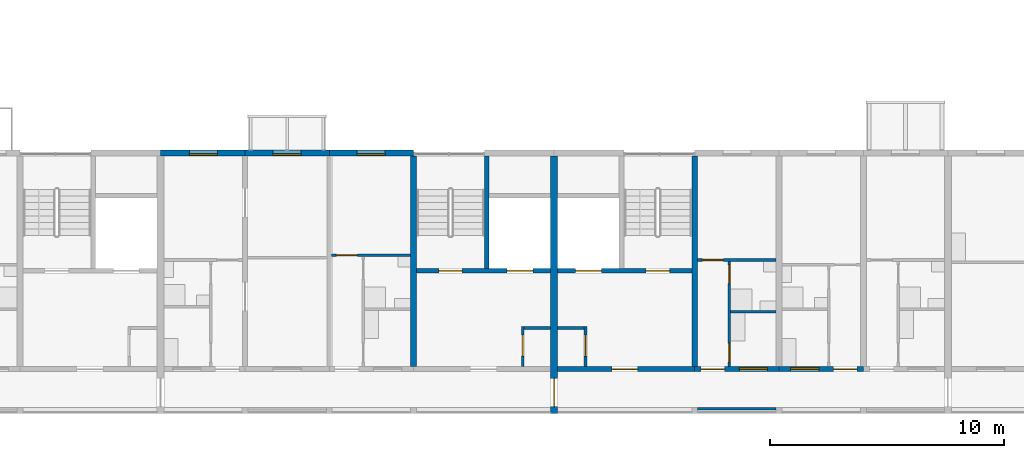
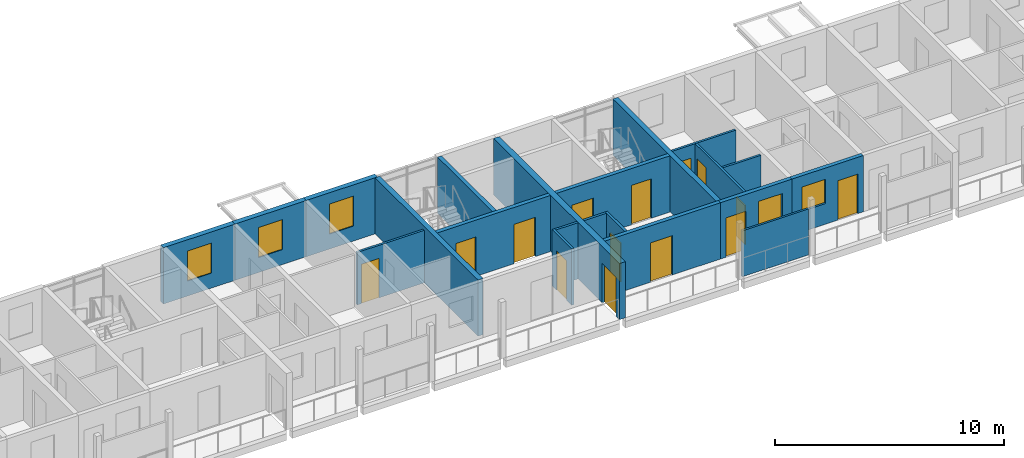
# One storey, part 32 of 98: 21 walls, 14 doors, 5 windows, 19 openings.
"""IFC4 building model written with IfcOpenShell, lengths in metres."""

from ifc_helpers import new_model, si_unit, direction, frame, frame_2d, origin, place, context, subcontext, project, spatial, rectangle, extrude, material, layer, layer_set, type_object, element, fill, save


model = new_model("IFC4")

# Units and contexts
model_context = context("Model", 3, precision=1e-05, world=origin(), true_north=direction((0.0, 1.0)))
body_context = subcontext(model_context, "Body", "Model", "MODEL_VIEW")
ifc_project = project(units=[si_unit("LENGTHUNIT", "METRE"), si_unit("AREAUNIT", "SQUARE_METRE"), si_unit("VOLUMEUNIT", "CUBIC_METRE"), si_unit("PLANEANGLEUNIT", "RADIAN"), si_unit("MASSUNIT", "GRAM", prefix="KILO")], contexts=[model_context])

# Site, building, storey
site_placement = place(None, origin())
site = spatial("IfcSite", under=ifc_project, at=site_placement, CompositionType="ELEMENT")
building_placement = place(site_placement, origin())
building = spatial("IfcBuilding", under=site, at=building_placement, Name="Ridgestep Commons", CompositionType="ELEMENT")
storey_placement = place(building_placement, frame((0.0, 0.0, 12.0)))
storey = spatial("IfcBuildingStorey", under=building, at=storey_placement, Name="L04", CompositionType="ELEMENT", Elevation=12.0)

# Walls
ifc_material_1 = material(Name="Concrete C30/37", Category="concrete")
ifc_layer_1 = layer(ifc_material_1, 0.25)
ifc_layer_set_1 = layer_set([ifc_layer_1], Name="Core cross wall 250")
wall_type_1 = type_object("IfcWallType", Name="Core cross wall 250", PredefinedType="SHEAR", material=ifc_layer_set_1)
for number, where, z_axis, x_axis, name in (
    (1, (39.60009765625, 13.75, 0.0), (0.0, 0.0, 1.0), (0.0, 1.0, 0.0), "Cross wall A-04-0396"),
    (2, (51.60009765625, 13.75, 0.0), (0.0, 0.0, 1.0), (0.0, 1.0, 0.0), "Cross wall A-04-0516"),
):
    element("IfcWall", number, at=place(storey_placement, frame(where, z_axis=z_axis, x_axis=x_axis)), inside=storey, type_object=wall_type_1, Name=name, PredefinedType="SHEAR", context=body_context, shape_type="SweptSolid", body=[
        extrude(rectangle(XDim=9.0, YDim=0.25, at=frame_2d((4.5, 0.0))), origin(), (0.0, 0.0, 1.0), 3.0),
    ])

# Wall, opening, door
ifc_material_2 = material(Name="Concrete C30/37", Category="concrete")
ifc_layer_2 = layer(ifc_material_2, 0.199951171875)
ifc_layer_set_2 = layer_set([ifc_layer_2], Name="Core south wall 200")
wall_type_2 = type_object("IfcWallType", Name="Core south wall 200", PredefinedType="SHEAR", material=ifc_layer_set_2)
wall_1_placement = place(storey_placement, frame((45.75, 13.64990234375, 0.0), z_axis=(0.0, 0.0, 1.0), x_axis=(1.0, 0.0, 0.0)))
wall_1 = element("IfcWall", 3, at=wall_1_placement, inside=storey, type_object=wall_type_2, Name="Core south wall A3C L04", PredefinedType="SHEAR", context=body_context, shape_type="SweptSolid", body=[
    extrude(rectangle(XDim=5.85009765625, YDim=0.199951171875, at=frame_2d((2.925048828125, 0.0))), origin(), (0.0, 0.0, 1.0), 3.0),
])
opening_1_placement = place(wall_1_placement, frame((2.3125, 0.0, 0.0)))
opening_1 = element("IfcOpeningElement", 4, at=opening_1_placement, cuts=wall_1, Name="Opening A3C/04/1", PredefinedType="OPENING", context=body_context, shape_type="SweptSolid", body=[
    extrude(rectangle(XDim=1.10009765625, YDim=2.10009765625, at=frame_2d((0.550048828125, 1.050048828125))), frame((0.0, 0.10986328125, 0.0), z_axis=(0.0, -1.0, 0.0), x_axis=(1.0, 0.0, 0.0)), (0.0, 0.0, 1.0), 0.219970703125),
])
ifc_material_3 = material(Name="Steel fire door", Category="steel")
door_type_1 = type_object("IfcDoorType", Name="Lobby door 1100 x 2100 FD60", OperationType="NOTDEFINED", PredefinedType="DOOR", material=ifc_material_3)
door_1_placement = place(opening_1_placement, origin())
door_1 = element("IfcDoor", 5, at=door_1_placement, inside=storey, type_object=door_type_1, Name="Lobby door A3C/04/1", OperationType="SINGLE_SWING_LEFT", OverallHeight=2.10009765625, OverallWidth=1.10009765625, PredefinedType="DOOR", context=body_context, shape_type="SweptSolid", body=[
    extrude(rectangle(XDim=1.10009765625, YDim=2.10009765625, at=frame_2d((0.550048828125, 1.050048828125))), frame((0.0, 0.02490234375, 0.0), z_axis=(0.0, -1.0, 0.0), x_axis=(1.0, 0.0, 0.0)), (0.0, 0.0, 1.0), 0.050048828125),
])
fill(opening_1, door_1)

ifc_material_4 = material(Name="Concrete C30/37", Category="concrete")
ifc_layer_3 = layer(ifc_material_4, 0.1201171875)
ifc_layer_set_3 = layer_set([ifc_layer_3], Name="Core wall 120")
wall_type_3 = type_object("IfcWallType", Name="Core wall 120", PredefinedType="SHEAR", material=ifc_layer_set_3)
wall_2_placement = place(storey_placement, frame((44.260009765625, 13.75, 0.0), z_axis=(0.0, 0.0, 1.0), x_axis=(0.0, 1.0, 0.0)))
wall_2 = element("IfcWall", 6, at=wall_2_placement, inside=storey, type_object=wall_type_3, Name="Core riser w wall A2C L04", PredefinedType="SHEAR", context=body_context, shape_type="SweptSolid", body=[
    extrude(rectangle(XDim=1.719970703125, YDim=0.1201171875, at=frame_2d((0.85986328125, 0.0))), origin(), (0.0, 0.0, 1.0), 3.0),
])
opening_2_placement = place(wall_2_placement, frame((0.449951171875, 0.0, 0.0)))
opening_2 = element("IfcOpeningElement", 7, at=opening_2_placement, cuts=wall_2, Name="Opening A2C/04/4", PredefinedType="OPENING", context=body_context, shape_type="SweptSolid", body=[
    extrude(rectangle(XDim=0.89990234375, YDim=2.10009765625, at=frame_2d((0.449951171875, 1.050048828125))), frame((0.0, 0.070068359375, 0.0), z_axis=(0.0, -1.0, 0.0), x_axis=(1.0, 0.0, 0.0)), (0.0, 0.0, 1.0), 0.14013671875),
])
ifc_material_5 = material(Name="Steel fire door", Category="steel")
door_type_2 = type_object("IfcDoorType", Name="Riser door 900 x 2100 FD60", OperationType="NOTDEFINED", PredefinedType="DOOR", material=ifc_material_5)
door_2_placement = place(opening_2_placement, origin())
door_2 = element("IfcDoor", 8, at=door_2_placement, inside=storey, type_object=door_type_2, Name="Riser door A2C/04/4", OperationType="SINGLE_SWING_LEFT", OverallHeight=2.10009765625, OverallWidth=0.89990234375, PredefinedType="DOOR", context=body_context, shape_type="SweptSolid", body=[
    extrude(rectangle(XDim=0.89990234375, YDim=2.10009765625, at=frame_2d((0.449951171875, 1.050048828125))), frame((0.0, 0.02490234375, 0.0), z_axis=(0.0, -1.0, 0.0), x_axis=(1.0, 0.0, 0.0)), (0.0, 0.0, 1.0), 0.050048828125),
])
fill(opening_2, door_2)

# Wall
wall_3_placement = place(storey_placement, frame((44.320068359375, 15.409912109375, 0.0), z_axis=(0.0, 0.0, 1.0), x_axis=(1.0, 0.0, 0.0)))
element("IfcWall", 9, at=wall_3_placement, inside=storey, type_object=wall_type_3, Name="Core riser n wall A2C L04", PredefinedType="SHEAR", context=body_context, shape_type="SweptSolid", body=[
    extrude(rectangle(XDim=1.1298828125, YDim=0.1201171875, at=frame_2d((0.56494140625, 0.0))), origin(), (0.0, 0.0, 1.0), 3.0),
])

# Wall, opening, door
wall_4_placement = place(storey_placement, frame((46.93994140625, 13.75, 0.0), z_axis=(0.0, 0.0, 1.0), x_axis=(0.0, 1.0, 0.0)))
wall_4 = element("IfcWall", 10, at=wall_4_placement, inside=storey, type_object=wall_type_3, Name="Core riser w wall A3C L04", PredefinedType="SHEAR", context=body_context, shape_type="SweptSolid", body=[
    extrude(rectangle(XDim=1.719970703125, YDim=0.1201171875, at=frame_2d((0.85986328125, 0.0))), origin(), (0.0, 0.0, 1.0), 3.0),
])
opening_3_placement = place(wall_4_placement, frame((0.449951171875, 0.0, 0.0)))
opening_3 = element("IfcOpeningElement", 11, at=opening_3_placement, cuts=wall_4, Name="Opening A3C/04/4", PredefinedType="OPENING", context=body_context, shape_type="SweptSolid", body=[
    extrude(rectangle(XDim=0.89990234375, YDim=2.10009765625, at=frame_2d((0.449951171875, 1.050048828125))), frame((0.0, 0.070068359375, 0.0), z_axis=(0.0, -1.0, 0.0), x_axis=(1.0, 0.0, 0.0)), (0.0, 0.0, 1.0), 0.14013671875),
])
door_3_placement = place(opening_3_placement, origin())
door_3 = element("IfcDoor", 12, at=door_3_placement, inside=storey, type_object=door_type_2, Name="Riser door A3C/04/4", OperationType="SINGLE_SWING_RIGHT", OverallHeight=2.10009765625, OverallWidth=0.89990234375, PredefinedType="DOOR", context=body_context, shape_type="SweptSolid", body=[
    extrude(rectangle(XDim=0.89990234375, YDim=2.10009765625, at=frame_2d((0.449951171875, 1.050048828125))), frame((0.0, 0.02490234375, 0.0), z_axis=(0.0, -1.0, 0.0), x_axis=(1.0, 0.0, 0.0)), (0.0, 0.0, 1.0), 0.050048828125),
])
fill(opening_3, door_3)

# Wall
wall_5_placement = place(storey_placement, frame((45.75, 15.409912109375, 0.0), z_axis=(0.0, 0.0, 1.0), x_axis=(1.0, 0.0, 0.0)))
element("IfcWall", 13, at=wall_5_placement, inside=storey, type_object=wall_type_3, Name="Core riser n wall A3C L04", PredefinedType="SHEAR", context=body_context, shape_type="SweptSolid", body=[
    extrude(rectangle(XDim=1.1298828125, YDim=0.1201171875, at=frame_2d((0.56494140625, 0.0))), origin(), (0.0, 0.0, 1.0), 3.0),
])

# Wall, openings, doors
ifc_material_6 = material(Name="Concrete C30/37", Category="concrete")
ifc_layer_4 = layer(ifc_material_6, 0.199951171875)
ifc_layer_set_4 = layer_set([ifc_layer_4], Name="Core wall 200")
wall_type_4 = type_object("IfcWallType", Name="Core wall 200", PredefinedType="SHEAR", material=ifc_layer_set_4)
wall_6_placement = place(storey_placement, frame((39.72509765625, 17.85009765625, 0.0), z_axis=(0.0, 0.0, 1.0), x_axis=(1.0, 0.0, 0.0)))
wall_6 = element("IfcWall", 14, at=wall_6_placement, inside=storey, type_object=wall_type_4, Name="Core lobby wall A2C L04", PredefinedType="SHEAR", context=body_context, shape_type="SweptSolid", body=[
    extrude(rectangle(XDim=5.724853515625, YDim=0.199951171875, at=frame_2d((2.8623046875, 0.0))), origin(), (0.0, 0.0, 1.0), 3.0),
])
opening_4_placement = place(wall_6_placement, frame((0.949951171875, 0.0, 0.0)))
opening_4 = element("IfcOpeningElement", 15, at=opening_4_placement, cuts=wall_6, Name="Opening A2C/04/2", PredefinedType="OPENING", context=body_context, shape_type="SweptSolid", body=[
    extrude(rectangle(XDim=1.0, YDim=2.10009765625, at=frame_2d((0.5, 1.050048828125))), frame((0.0, 0.10986328125, 0.0), z_axis=(0.0, -1.0, 0.0), x_axis=(1.0, 0.0, 0.0)), (0.0, 0.0, 1.0), 0.219970703125),
])
opening_5_placement = place(wall_6_placement, frame((3.862548828125, 0.0, 0.0)))
opening_5 = element("IfcOpeningElement", 16, at=opening_5_placement, cuts=wall_6, Name="Opening A2C/04/3", PredefinedType="OPENING", context=body_context, shape_type="SweptSolid", body=[
    extrude(rectangle(XDim=1.10009765625, YDim=2.10009765625, at=frame_2d((0.550048828125, 1.050048828125))), frame((0.0, 0.10986328125, 0.0), z_axis=(0.0, -1.0, 0.0), x_axis=(1.0, 0.0, 0.0)), (0.0, 0.0, 1.0), 0.219970703125),
])
ifc_material_7 = material(Name="Stainless steel", Category="steel")
door_type_3 = type_object("IfcDoorType", Name="Lift landing door 1100 x 2100 FD60", OperationType="DOUBLE_DOOR_SLIDING", PredefinedType="DOOR", material=ifc_material_7)
door_4_placement = place(opening_5_placement, origin())
door_4 = element("IfcDoor", 17, at=door_4_placement, inside=storey, type_object=door_type_3, Name="Landing door LD A2C L04", OperationType="DOUBLE_DOOR_SLIDING", OverallHeight=2.10009765625, OverallWidth=1.10009765625, PredefinedType="DOOR", context=body_context, shape_type="SweptSolid", body=[
    extrude(rectangle(XDim=1.10009765625, YDim=2.10009765625, at=frame_2d((0.550048828125, 1.050048828125))), frame((0.0, 0.02490234375, 0.0), z_axis=(0.0, -1.0, 0.0), x_axis=(1.0, 0.0, 0.0)), (0.0, 0.0, 1.0), 0.050048828125),
])
fill(opening_5, door_4)
ifc_material_8 = material(Name="Steel fire door", Category="steel")
door_type_4 = type_object("IfcDoorType", Name="Stair door 1000 x 2100 FD60", OperationType="NOTDEFINED", PredefinedType="DOOR", material=ifc_material_8)
door_5_placement = place(opening_4_placement, origin())
door_5 = element("IfcDoor", 18, at=door_5_placement, inside=storey, type_object=door_type_4, Name="Stair door A2C/04/2", OperationType="SINGLE_SWING_RIGHT", OverallHeight=2.10009765625, OverallWidth=1.0, PredefinedType="DOOR", context=body_context, shape_type="SweptSolid", body=[
    extrude(rectangle(XDim=1.0, YDim=2.10009765625, at=frame_2d((0.5, 1.050048828125))), frame((0.0, 0.02490234375, 0.0), z_axis=(0.0, -1.0, 0.0), x_axis=(1.0, 0.0, 0.0)), (0.0, 0.0, 1.0), 0.050048828125),
])
fill(opening_4, door_5)

# Wall
wall_7_placement = place(storey_placement, frame((42.72509765625, 17.949951171875, 0.0), z_axis=(0.0, 0.0, 1.0), x_axis=(0.0, 1.0, 0.0)))
element("IfcWall", 19, at=wall_7_placement, inside=storey, type_object=wall_type_4, Name="Core stair wall A2C L04", PredefinedType="SHEAR", context=body_context, shape_type="SweptSolid", body=[
    extrude(rectangle(XDim=4.800048828125, YDim=0.199951171875, at=frame_2d((2.39990234375, 0.0))), origin(), (0.0, 0.0, 1.0), 3.0),
])

# Wall, openings, doors
wall_8_placement = place(storey_placement, frame((45.75, 17.85009765625, 0.0), z_axis=(0.0, 0.0, 1.0), x_axis=(1.0, 0.0, 0.0)))
wall_8 = element("IfcWall", 20, at=wall_8_placement, inside=storey, type_object=wall_type_4, Name="Core lobby wall A3C L04", PredefinedType="SHEAR", context=body_context, shape_type="SweptSolid", body=[
    extrude(rectangle(XDim=5.72509765625, YDim=0.199951171875, at=frame_2d((2.862548828125, 0.0))), origin(), (0.0, 0.0, 1.0), 3.0),
])
opening_6_placement = place(wall_8_placement, frame((3.77490234375, 0.0, 0.0)))
opening_6 = element("IfcOpeningElement", 21, at=opening_6_placement, cuts=wall_8, Name="Opening A3C/04/2", PredefinedType="OPENING", context=body_context, shape_type="SweptSolid", body=[
    extrude(rectangle(XDim=1.0, YDim=2.10009765625, at=frame_2d((0.5, 1.050048828125))), frame((0.0, 0.10986328125, 0.0), z_axis=(0.0, -1.0, 0.0), x_axis=(1.0, 0.0, 0.0)), (0.0, 0.0, 1.0), 0.219970703125),
])
opening_7_placement = place(wall_8_placement, frame((0.762451171875, 0.0, 0.0)))
opening_7 = element("IfcOpeningElement", 22, at=opening_7_placement, cuts=wall_8, Name="Opening A3C/04/3", PredefinedType="OPENING", context=body_context, shape_type="SweptSolid", body=[
    extrude(rectangle(XDim=1.10009765625, YDim=2.10009765625, at=frame_2d((0.550048828125, 1.050048828125))), frame((0.0, 0.10986328125, 0.0), z_axis=(0.0, -1.0, 0.0), x_axis=(1.0, 0.0, 0.0)), (0.0, 0.0, 1.0), 0.219970703125),
])
door_6_placement = place(opening_7_placement, origin())
door_6 = element("IfcDoor", 23, at=door_6_placement, inside=storey, type_object=door_type_3, Name="Landing door LD A3C L04", OperationType="DOUBLE_DOOR_SLIDING", OverallHeight=2.10009765625, OverallWidth=1.10009765625, PredefinedType="DOOR", context=body_context, shape_type="SweptSolid", body=[
    extrude(rectangle(XDim=1.10009765625, YDim=2.10009765625, at=frame_2d((0.550048828125, 1.050048828125))), frame((0.0, 0.02490234375, 0.0), z_axis=(0.0, -1.0, 0.0), x_axis=(1.0, 0.0, 0.0)), (0.0, 0.0, 1.0), 0.050048828125),
])
fill(opening_7, door_6)
door_7_placement = place(opening_6_placement, origin())
door_7 = element("IfcDoor", 24, at=door_7_placement, inside=storey, type_object=door_type_4, Name="Stair door A3C/04/2", OperationType="SINGLE_SWING_RIGHT", OverallHeight=2.10009765625, OverallWidth=1.0, PredefinedType="DOOR", context=body_context, shape_type="SweptSolid", body=[
    extrude(rectangle(XDim=1.0, YDim=2.10009765625, at=frame_2d((0.5, 1.050048828125))), frame((0.0, 0.02490234375, 0.0), z_axis=(0.0, -1.0, 0.0), x_axis=(1.0, 0.0, 0.0)), (0.0, 0.0, 1.0), 0.050048828125),
])
fill(opening_6, door_7)

# Wall, opening, door
ifc_material_9 = material(Name="Precast concrete C40/50", Category="concrete")
ifc_layer_5 = layer(ifc_material_9, 0.300048828125)
ifc_layer_set_5 = layer_set([ifc_layer_5], Name="Division wall 300")
wall_type_5 = type_object("IfcWallType", Name="Division wall 300", PredefinedType="SHEAR", material=ifc_layer_set_5)
wall_9_placement = place(storey_placement, frame((45.60009765625, 11.75, 0.0), z_axis=(0.0, 0.0, 1.0), x_axis=(0.0, 1.0, 0.0)))
wall_9 = element("IfcWall", 25, at=wall_9_placement, inside=storey, type_object=wall_type_5, Name="Cross wall A-04-0456", PredefinedType="SHEAR", context=body_context, shape_type="SweptSolid", body=[
    extrude(rectangle(XDim=11.0, YDim=0.300048828125, at=frame_2d((5.5, 0.0))), origin(), (0.0, 0.0, 1.0), 3.0),
])
opening_8_placement = place(wall_9_placement, frame((0.300048828125, 0.0, 0.0)))
opening_8 = element("IfcOpeningElement", 26, at=opening_8_placement, cuts=wall_9, Name="Opening A/04/G0456", PredefinedType="OPENING", context=body_context, shape_type="SweptSolid", body=[
    extrude(rectangle(XDim=1.199951171875, YDim=2.10009765625, at=frame_2d((0.60009765625, 1.050048828125))), frame((0.0, 0.159912109375, 0.0), z_axis=(0.0, -1.0, 0.0), x_axis=(1.0, 0.0, 0.0)), (0.0, 0.0, 1.0), 0.320068359375),
])
ifc_material_10 = material(Name="Steel fire door", Category="steel")
door_type_5 = type_object("IfcDoorType", Name="Division fire door 1200 x 2100 EI 240", OperationType="DOUBLE_DOOR_SINGLE_SWING", PredefinedType="DOOR", material=ifc_material_10)
door_8_placement = place(opening_8_placement, origin())
door_8 = element("IfcDoor", 27, at=door_8_placement, inside=storey, type_object=door_type_5, Name="Division fire door A/04/G0456", OperationType="DOUBLE_DOOR_SINGLE_SWING", OverallHeight=2.10009765625, OverallWidth=1.199951171875, PredefinedType="DOOR", context=body_context, shape_type="SweptSolid", body=[
    extrude(rectangle(XDim=1.199951171875, YDim=2.10009765625, at=frame_2d((0.60009765625, 1.050048828125))), frame((0.0, 0.02490234375, 0.0), z_axis=(0.0, -1.0, 0.0), x_axis=(1.0, 0.0, 0.0)), (0.0, 0.0, 1.0), 0.050048828125),
])
fill(opening_8, door_8)

# Wall, opening, window
ifc_material_11 = material(Name="Precast concrete C40/50", Category="concrete")
ifc_layer_6 = layer(ifc_material_11, 0.25)
ifc_layer_set_6 = layer_set([ifc_layer_6], Name="North facade panel 250")
wall_type_6 = type_object("IfcWallType", Name="North facade panel 250", PredefinedType="SOLIDWALL", material=ifc_layer_set_6)
wall_10_placement = place(storey_placement, frame((28.800048828125, 22.875, 0.0), z_axis=(0.0, 0.0, 1.0), x_axis=(1.0, 0.0, 0.0)))
wall_10 = element("IfcWall", 28, at=wall_10_placement, inside=storey, type_object=wall_type_6, Name="North panel A2T1 L04", PredefinedType="SOLIDWALL", context=body_context, shape_type="SweptSolid", body=[
    extrude(rectangle(XDim=3.599853515625, YDim=0.25, at=frame_2d((1.7998046875, 0.0))), origin(), (0.0, 0.0, 1.0), 3.0),
])
opening_9_placement = place(wall_10_placement, frame((1.22509765625, 0.0, 0.800048828125)))
opening_9 = element("IfcOpeningElement", 29, at=opening_9_placement, cuts=wall_10, Name="Opening W11", PredefinedType="OPENING", context=body_context, shape_type="SweptSolid", body=[
    extrude(rectangle(XDim=1.199951171875, YDim=1.60009765625, at=frame_2d((0.60009765625, 0.800048828125))), frame((0.0, 0.135009765625, 0.0), z_axis=(0.0, -1.0, 0.0), x_axis=(1.0, 0.0, 0.0)), (0.0, 0.0, 1.0), 0.27001953125),
])
ifc_material_12 = material(Name="Aluminium 6063-T6 and glass", Category="aluminium")
window_type_1 = type_object("IfcWindowType", Name="Flat window 1200 x 1600", PartitioningType="SINGLE_PANEL", PredefinedType="WINDOW", material=ifc_material_12)
window_1_placement = place(opening_9_placement, origin())
window_1 = element("IfcWindow", 30, at=window_1_placement, inside=storey, type_object=window_type_1, Name="Window A2-04a 4", OverallHeight=1.60009765625, OverallWidth=1.199951171875, PartitioningType="SINGLE_PANEL", PredefinedType="WINDOW", context=body_context, shape_type="SweptSolid", body=[
    extrude(rectangle(XDim=1.199951171875, YDim=1.60009765625, at=frame_2d((0.60009765625, 0.800048828125))), frame((0.0, -0.02490234375, 0.0), z_axis=(0.0, -1.0, 0.0), x_axis=(1.0, 0.0, 0.0)), (0.0, 0.0, 1.0), 0.06005859375),
])
fill(opening_9, window_1)

wall_11_placement = place(storey_placement, frame((32.39990234375, 22.875, 0.0), z_axis=(0.0, 0.0, 1.0), x_axis=(1.0, 0.0, 0.0)))
wall_11 = element("IfcWall", 31, at=wall_11_placement, inside=storey, type_object=wall_type_6, Name="North panel A2T2 L04", PredefinedType="SOLIDWALL", context=body_context, shape_type="SweptSolid", body=[
    extrude(rectangle(XDim=3.60009765625, YDim=0.25, at=frame_2d((1.800048828125, 0.0))), origin(), (0.0, 0.0, 1.0), 3.0),
])
opening_10_placement = place(wall_11_placement, frame((1.199951171875, 0.0, 0.800048828125)))
opening_10 = element("IfcOpeningElement", 32, at=opening_10_placement, cuts=wall_11, Name="Opening W11", PredefinedType="OPENING", context=body_context, shape_type="SweptSolid", body=[
    extrude(rectangle(XDim=1.199951171875, YDim=1.60009765625, at=frame_2d((0.60009765625, 0.800048828125))), frame((0.0, 0.135009765625, 0.0), z_axis=(0.0, -1.0, 0.0), x_axis=(1.0, 0.0, 0.0)), (0.0, 0.0, 1.0), 0.27001953125),
])
window_2_placement = place(opening_10_placement, origin())
window_2 = element("IfcWindow", 33, at=window_2_placement, inside=storey, type_object=window_type_1, Name="Window A2-04a 2", OverallHeight=1.60009765625, OverallWidth=1.199951171875, PartitioningType="SINGLE_PANEL", PredefinedType="WINDOW", context=body_context, shape_type="SweptSolid", body=[
    extrude(rectangle(XDim=1.199951171875, YDim=1.60009765625, at=frame_2d((0.60009765625, 0.800048828125))), frame((0.0, -0.02490234375, 0.0), z_axis=(0.0, -1.0, 0.0), x_axis=(1.0, 0.0, 0.0)), (0.0, 0.0, 1.0), 0.06005859375),
])
fill(opening_10, window_2)

wall_12_placement = place(storey_placement, frame((36.0, 22.875, 0.0), z_axis=(0.0, 0.0, 1.0), x_axis=(1.0, 0.0, 0.0)))
wall_12 = element("IfcWall", 34, at=wall_12_placement, inside=storey, type_object=wall_type_6, Name="North panel A2T3 L04", PredefinedType="SOLIDWALL", context=body_context, shape_type="SweptSolid", body=[
    extrude(rectangle(XDim=3.60009765625, YDim=0.25, at=frame_2d((1.800048828125, 0.0))), origin(), (0.0, 0.0, 1.0), 3.0),
])
opening_11_placement = place(wall_12_placement, frame((1.1875, 0.0, 0.800048828125)))
opening_11 = element("IfcOpeningElement", 35, at=opening_11_placement, cuts=wall_12, Name="Opening W11", PredefinedType="OPENING", context=body_context, shape_type="SweptSolid", body=[
    extrude(rectangle(XDim=1.199951171875, YDim=1.60009765625, at=frame_2d((0.60009765625, 0.800048828125))), frame((0.0, 0.135009765625, 0.0), z_axis=(0.0, -1.0, 0.0), x_axis=(1.0, 0.0, 0.0)), (0.0, 0.0, 1.0), 0.27001953125),
])
window_3_placement = place(opening_11_placement, origin())
window_3 = element("IfcWindow", 36, at=window_3_placement, inside=storey, type_object=window_type_1, Name="Window A2-04b 2", OverallHeight=1.60009765625, OverallWidth=1.199951171875, PartitioningType="SINGLE_PANEL", PredefinedType="WINDOW", context=body_context, shape_type="SweptSolid", body=[
    extrude(rectangle(XDim=1.199951171875, YDim=1.60009765625, at=frame_2d((0.60009765625, 0.800048828125))), frame((0.0, -0.02490234375, 0.0), z_axis=(0.0, -1.0, 0.0), x_axis=(1.0, 0.0, 0.0)), (0.0, 0.0, 1.0), 0.06005859375),
])
fill(opening_11, window_3)

# Wall, opening, door
ifc_material_13 = material(Name="Common brick 110 mm", Category="masonry")
ifc_layer_7 = layer(ifc_material_13, 0.110107421875)
ifc_layer_set_7 = layer_set([ifc_layer_7], Name="Partition 110")
wall_type_7 = type_object("IfcWallType", Name="Partition 110", PredefinedType="PARTITIONING", material=ifc_layer_set_7)
wall_13_placement = place(storey_placement, frame((36.10009765625, 18.5048828125, 0.0), z_axis=(0.0, 0.0, 1.0), x_axis=(1.0, 0.0, 0.0)))
wall_13 = element("IfcWall", 37, at=wall_13_placement, inside=storey, type_object=wall_type_7, Name="Partition A2-04b", PredefinedType="PARTITIONING", context=body_context, shape_type="SweptSolid", body=[
    extrude(rectangle(XDim=3.375, YDim=0.110107421875, at=frame_2d((1.6875, 0.0))), origin(), (0.0, 0.0, 1.0), 2.800048828125),
])
opening_12_placement = place(wall_13_placement, frame((0.199951171875, 0.0, 0.0)))
opening_12 = element("IfcOpeningElement", 38, at=opening_12_placement, cuts=wall_13, Name="Opening A2-04b/4", PredefinedType="OPENING", context=body_context, shape_type="SweptSolid", body=[
    extrude(rectangle(XDim=0.89990234375, YDim=2.10009765625, at=frame_2d((0.449951171875, 1.050048828125))), frame((0.0, 0.06494140625, 0.0), z_axis=(0.0, -1.0, 0.0), x_axis=(1.0, 0.0, 0.0)), (0.0, 0.0, 1.0), 0.130126953125),
])
ifc_material_14 = material(Name="Timber door leaf", Category="wood")
door_type_6 = type_object("IfcDoorType", Name="Internal door 900 x 2100", OperationType="NOTDEFINED", PredefinedType="DOOR", material=ifc_material_14)
door_9_placement = place(opening_12_placement, origin())
door_9 = element("IfcDoor", 39, at=door_9_placement, inside=storey, type_object=door_type_6, Name="Internal door A2-04b/4", OperationType="SINGLE_SWING_LEFT", OverallHeight=2.10009765625, OverallWidth=0.89990234375, PredefinedType="DOOR", context=body_context, shape_type="SweptSolid", body=[
    extrude(rectangle(XDim=0.89990234375, YDim=2.10009765625, at=frame_2d((0.449951171875, 1.050048828125))), frame((0.0, 0.02490234375, 0.0), z_axis=(0.0, -1.0, 0.0), x_axis=(1.0, 0.0, 0.0)), (0.0, 0.0, 1.0), 0.050048828125),
])
fill(opening_12, door_9)

# Wall, openings, doors
wall_14_placement = place(storey_placement, frame((53.080078125, 13.75, 0.0), z_axis=(0.0, 0.0, 1.0), x_axis=(0.0, 1.0, 0.0)))
wall_14 = element("IfcWall", 40, at=wall_14_placement, inside=storey, type_object=wall_type_7, Name="Partition A3-04c", PredefinedType="PARTITIONING", context=body_context, shape_type="SweptSolid", body=[
    extrude(rectangle(XDim=4.5, YDim=0.110107421875, at=frame_2d((2.25, 0.0))), origin(), (0.0, 0.0, 1.0), 2.800048828125),
])
opening_13_placement = place(wall_14_placement, frame((0.199951171875, 0.0, 0.0)))
opening_13 = element("IfcOpeningElement", 41, at=opening_13_placement, cuts=wall_14, Name="Opening A3-04c/2", PredefinedType="OPENING", context=body_context, shape_type="SweptSolid", body=[
    extrude(rectangle(XDim=0.800048828125, YDim=2.10009765625, at=frame_2d((0.39990234375, 1.050048828125))), frame((0.0, 0.06494140625, 0.0), z_axis=(0.0, -1.0, 0.0), x_axis=(1.0, 0.0, 0.0)), (0.0, 0.0, 1.0), 0.130126953125),
])
opening_14_placement = place(wall_14_placement, frame((3.550048828125, 0.0, 0.0)))
opening_14 = element("IfcOpeningElement", 42, at=opening_14_placement, cuts=wall_14, Name="Opening A3-04c/3", PredefinedType="OPENING", context=body_context, shape_type="SweptSolid", body=[
    extrude(rectangle(XDim=0.800048828125, YDim=2.10009765625, at=frame_2d((0.39990234375, 1.050048828125))), frame((0.0, 0.06494140625, 0.0), z_axis=(0.0, -1.0, 0.0), x_axis=(1.0, 0.0, 0.0)), (0.0, 0.0, 1.0), 0.130126953125),
])
ifc_material_15 = material(Name="Timber door leaf", Category="wood")
door_type_7 = type_object("IfcDoorType", Name="Internal door 800 x 2100", OperationType="NOTDEFINED", PredefinedType="DOOR", material=ifc_material_15)
door_10_placement = place(opening_13_placement, origin())
door_10 = element("IfcDoor", 43, at=door_10_placement, inside=storey, type_object=door_type_7, Name="Internal door A3-04c/2", OperationType="SINGLE_SWING_RIGHT", OverallHeight=2.10009765625, OverallWidth=0.800048828125, PredefinedType="DOOR", context=body_context, shape_type="SweptSolid", body=[
    extrude(rectangle(XDim=0.800048828125, YDim=2.10009765625, at=frame_2d((0.39990234375, 1.050048828125))), frame((0.0, 0.02490234375, 0.0), z_axis=(0.0, -1.0, 0.0), x_axis=(1.0, 0.0, 0.0)), (0.0, 0.0, 1.0), 0.050048828125),
])
fill(opening_13, door_10)
door_11_placement = place(opening_14_placement, origin())
door_11 = element("IfcDoor", 44, at=door_11_placement, inside=storey, type_object=door_type_7, Name="Internal door A3-04c/3", OperationType="SINGLE_SWING_LEFT", OverallHeight=2.10009765625, OverallWidth=0.800048828125, PredefinedType="DOOR", context=body_context, shape_type="SweptSolid", body=[
    extrude(rectangle(XDim=0.800048828125, YDim=2.10009765625, at=frame_2d((0.39990234375, 1.050048828125))), frame((0.0, 0.02490234375, 0.0), z_axis=(0.0, -1.0, 0.0), x_axis=(1.0, 0.0, 0.0)), (0.0, 0.0, 1.0), 0.050048828125),
])
fill(opening_14, door_11)

# Wall
wall_15_placement = place(storey_placement, frame((53.135009765625, 16.10498046875, 0.0), z_axis=(0.0, 0.0, 1.0), x_axis=(1.0, 0.0, 0.0)))
element("IfcWall", 45, at=wall_15_placement, inside=storey, type_object=wall_type_7, Name="Partition A3-04c", PredefinedType="PARTITIONING", context=body_context, shape_type="SweptSolid", body=[
    extrude(rectangle(XDim=1.93994140625, YDim=0.110107421875, at=frame_2d((0.969970703125, 0.0))), origin(), (0.0, 0.0, 1.0), 2.800048828125),
])

# Wall, opening, door
wall_16_placement = place(storey_placement, frame((51.72509765625, 18.304931640625, 0.0), z_axis=(0.0, 0.0, 1.0), x_axis=(1.0, 0.0, 0.0)))
wall_16 = element("IfcWall", 46, at=wall_16_placement, inside=storey, type_object=wall_type_7, Name="Partition A3-04c", PredefinedType="PARTITIONING", context=body_context, shape_type="SweptSolid", body=[
    extrude(rectangle(XDim=3.349853515625, YDim=0.110107421875, at=frame_2d((1.6748046875, 0.0))), origin(), (0.0, 0.0, 1.0), 2.800048828125),
])
opening_15_placement = place(wall_16_placement, frame((0.199951171875, 0.0, 0.0)))
opening_15 = element("IfcOpeningElement", 47, at=opening_15_placement, cuts=wall_16, Name="Opening A3-04c/4", PredefinedType="OPENING", context=body_context, shape_type="SweptSolid", body=[
    extrude(rectangle(XDim=0.89990234375, YDim=2.10009765625, at=frame_2d((0.449951171875, 1.050048828125))), frame((0.0, 0.06494140625, 0.0), z_axis=(0.0, -1.0, 0.0), x_axis=(1.0, 0.0, 0.0)), (0.0, 0.0, 1.0), 0.130126953125),
])
door_12_placement = place(opening_15_placement, origin())
door_12 = element("IfcDoor", 48, at=door_12_placement, inside=storey, type_object=door_type_6, Name="Internal door A3-04c/4", OperationType="SINGLE_SWING_LEFT", OverallHeight=2.10009765625, OverallWidth=0.89990234375, PredefinedType="DOOR", context=body_context, shape_type="SweptSolid", body=[
    extrude(rectangle(XDim=0.89990234375, YDim=2.10009765625, at=frame_2d((0.449951171875, 1.050048828125))), frame((0.0, 0.02490234375, 0.0), z_axis=(0.0, -1.0, 0.0), x_axis=(1.0, 0.0, 0.0)), (0.0, 0.0, 1.0), 0.050048828125),
])
fill(opening_15, door_12)

# Wall
ifc_material_16 = material(Name="Precast concrete C30/37", Category="concrete")
ifc_layer_8 = layer(ifc_material_16, 0.10009765625)
ifc_layer_set_8 = layer_set([ifc_layer_8], Name="Perforated gallery screen 3350 x 2450 x 100")
wall_type_8 = type_object("IfcWallType", Name="Perforated gallery screen 3350 x 2450 x 100", PredefinedType="SOLIDWALL", material=ifc_layer_set_8)
wall_17_placement = place(storey_placement, frame((51.72509765625, 11.949951171875, 0.0), z_axis=(0.0, 0.0, 1.0), x_axis=(1.0, 0.0, 0.0)))
element("IfcWall", 49, at=wall_17_placement, inside=storey, type_object=wall_type_8, Name="Gallery screen A3T3 04", PredefinedType="SOLIDWALL", context=body_context, shape_type="SweptSolid", body=[
    extrude(rectangle(XDim=3.349853515625, YDim=0.10009765625, at=frame_2d((1.6748046875, 0.0))), origin(), (0.0, 0.0, 1.0), 2.449951171875),
])

# Wall, openings, door, window
ifc_material_17 = material(Name="Precast concrete C40/50", Category="concrete")
ifc_layer_9 = layer(ifc_material_17, 0.199951171875)
ifc_layer_set_9 = layer_set([ifc_layer_9], Name="South facade panel 200")
wall_type_9 = type_object("IfcWallType", Name="South facade panel 200", PredefinedType="SOLIDWALL", material=ifc_layer_set_9)
wall_18_placement = place(storey_placement, frame((51.60009765625, 13.64990234375, 0.0), z_axis=(0.0, 0.0, 1.0), x_axis=(1.0, 0.0, 0.0)))
wall_18 = element("IfcWall", 50, at=wall_18_placement, inside=storey, type_object=wall_type_9, Name="South panel A3T3 L04", PredefinedType="SOLIDWALL", context=body_context, shape_type="SweptSolid", body=[
    extrude(rectangle(XDim=3.599853515625, YDim=0.199951171875, at=frame_2d((1.7998046875, 0.0))), origin(), (0.0, 0.0, 1.0), 3.0),
])
opening_16_placement = place(wall_18_placement, frame((1.905029296875, 0.0, 1.10009765625)))
opening_16 = element("IfcOpeningElement", 51, at=opening_16_placement, cuts=wall_18, Name="Opening W08", PredefinedType="OPENING", context=body_context, shape_type="SweptSolid", body=[
    extrude(rectangle(XDim=1.199951171875, YDim=1.300048828125, at=frame_2d((0.60009765625, 0.64990234375))), frame((0.0, 0.10986328125, 0.0), z_axis=(0.0, -1.0, 0.0), x_axis=(1.0, 0.0, 0.0)), (0.0, 0.0, 1.0), 0.219970703125),
])
opening_17_placement = place(wall_18_placement, frame((0.27490234375, 0.0, 0.0)))
opening_17 = element("IfcOpeningElement", 52, at=opening_17_placement, cuts=wall_18, Name="Opening A3-04c/1", PredefinedType="OPENING", context=body_context, shape_type="SweptSolid", body=[
    extrude(rectangle(XDim=1.0, YDim=2.10009765625, at=frame_2d((0.5, 1.050048828125))), frame((0.0, 0.10986328125, 0.0), z_axis=(0.0, -1.0, 0.0), x_axis=(1.0, 0.0, 0.0)), (0.0, 0.0, 1.0), 0.219970703125),
])
ifc_material_18 = material(Name="Timber door leaf", Category="wood")
door_type_8 = type_object("IfcDoorType", Name="Flat entrance door 1000 x 2100 FD30S", OperationType="NOTDEFINED", PredefinedType="DOOR", material=ifc_material_18)
door_13_placement = place(opening_17_placement, origin())
door_13 = element("IfcDoor", 53, at=door_13_placement, inside=storey, type_object=door_type_8, Name="Flat entrance door A3-04c/1", OperationType="SINGLE_SWING_LEFT", OverallHeight=2.10009765625, OverallWidth=1.0, PredefinedType="DOOR", context=body_context, shape_type="SweptSolid", body=[
    extrude(rectangle(XDim=1.0, YDim=2.10009765625, at=frame_2d((0.5, 1.050048828125))), frame((0.0, 0.02490234375, 0.0), z_axis=(0.0, -1.0, 0.0), x_axis=(1.0, 0.0, 0.0)), (0.0, 0.0, 1.0), 0.050048828125),
])
fill(opening_17, door_13)
ifc_material_19 = material(Name="Aluminium 6063-T6 and glass", Category="aluminium")
window_type_2 = type_object("IfcWindowType", Name="Flat window 1200 x 1300", PartitioningType="SINGLE_PANEL", PredefinedType="WINDOW", material=ifc_material_19)
window_4_placement = place(opening_16_placement, origin())
window_4 = element("IfcWindow", 54, at=window_4_placement, inside=storey, type_object=window_type_2, Name="Window A3-04c 1", OverallHeight=1.300048828125, OverallWidth=1.199951171875, PartitioningType="SINGLE_PANEL", PredefinedType="WINDOW", context=body_context, shape_type="SweptSolid", body=[
    extrude(rectangle(XDim=1.199951171875, YDim=1.300048828125, at=frame_2d((0.60009765625, 0.64990234375))), frame((0.0, 0.06005859375, 0.0), z_axis=(0.0, -1.0, 0.0), x_axis=(1.0, 0.0, 0.0)), (0.0, 0.0, 1.0), 0.06005859375),
])
fill(opening_16, window_4)

wall_19_placement = place(storey_placement, frame((55.199951171875, 13.64990234375, 0.0), z_axis=(0.0, 0.0, 1.0), x_axis=(1.0, 0.0, 0.0)))
wall_19 = element("IfcWall", 55, at=wall_19_placement, inside=storey, type_object=wall_type_9, Name="South panel A3T2 L04", PredefinedType="SOLIDWALL", context=body_context, shape_type="SweptSolid", body=[
    extrude(rectangle(XDim=3.60009765625, YDim=0.199951171875, at=frame_2d((1.800048828125, 0.0))), origin(), (0.0, 0.0, 1.0), 3.0),
])
opening_18_placement = place(wall_19_placement, frame((0.4951171875, 0.0, 1.10009765625)))
opening_18 = element("IfcOpeningElement", 56, at=opening_18_placement, cuts=wall_19, Name="Opening W08", PredefinedType="OPENING", context=body_context, shape_type="SweptSolid", body=[
    extrude(rectangle(XDim=1.199951171875, YDim=1.300048828125, at=frame_2d((0.60009765625, 0.64990234375))), frame((0.0, 0.10986328125, 0.0), z_axis=(0.0, -1.0, 0.0), x_axis=(1.0, 0.0, 0.0)), (0.0, 0.0, 1.0), 0.219970703125),
])
opening_19_placement = place(wall_19_placement, frame((2.324951171875, 0.0, 0.0)))
opening_19 = element("IfcOpeningElement", 57, at=opening_19_placement, cuts=wall_19, Name="Opening A3-04b/1", PredefinedType="OPENING", context=body_context, shape_type="SweptSolid", body=[
    extrude(rectangle(XDim=1.0, YDim=2.10009765625, at=frame_2d((0.5, 1.050048828125))), frame((0.0, 0.10986328125, 0.0), z_axis=(0.0, -1.0, 0.0), x_axis=(1.0, 0.0, 0.0)), (0.0, 0.0, 1.0), 0.219970703125),
])
door_14_placement = place(opening_19_placement, origin())
door_14 = element("IfcDoor", 58, at=door_14_placement, inside=storey, type_object=door_type_8, Name="Flat entrance door A3-04b/1", OperationType="SINGLE_SWING_RIGHT", OverallHeight=2.10009765625, OverallWidth=1.0, PredefinedType="DOOR", context=body_context, shape_type="SweptSolid", body=[
    extrude(rectangle(XDim=1.0, YDim=2.10009765625, at=frame_2d((0.5, 1.050048828125))), frame((0.0, 0.02490234375, 0.0), z_axis=(0.0, -1.0, 0.0), x_axis=(1.0, 0.0, 0.0)), (0.0, 0.0, 1.0), 0.050048828125),
])
fill(opening_19, door_14)
window_5_placement = place(opening_18_placement, origin())
window_5 = element("IfcWindow", 59, at=window_5_placement, inside=storey, type_object=window_type_2, Name="Window A3-04b 1", OverallHeight=1.300048828125, OverallWidth=1.199951171875, PartitioningType="SINGLE_PANEL", PredefinedType="WINDOW", context=body_context, shape_type="SweptSolid", body=[
    extrude(rectangle(XDim=1.199951171875, YDim=1.300048828125, at=frame_2d((0.60009765625, 0.64990234375))), frame((0.0, 0.06005859375, 0.0), z_axis=(0.0, -1.0, 0.0), x_axis=(1.0, 0.0, 0.0)), (0.0, 0.0, 1.0), 0.06005859375),
])
fill(opening_18, window_5)

save(model, "model.ifc")
